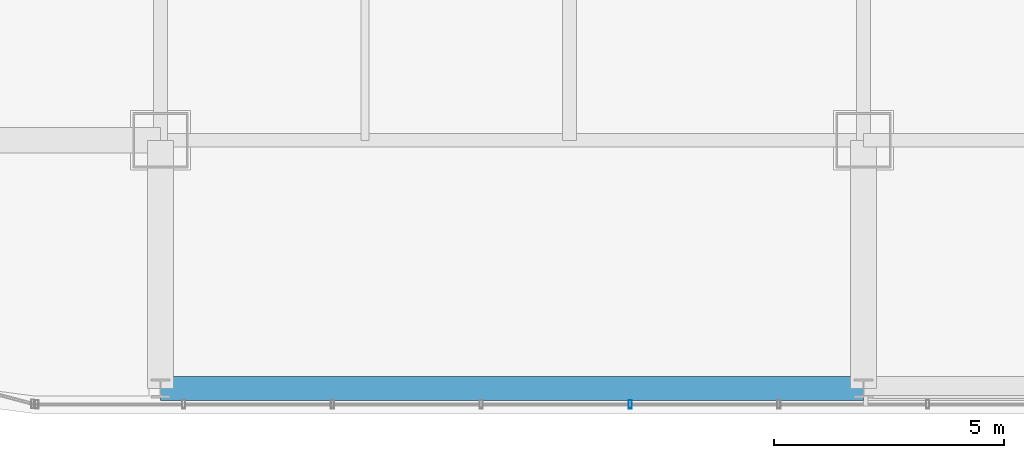
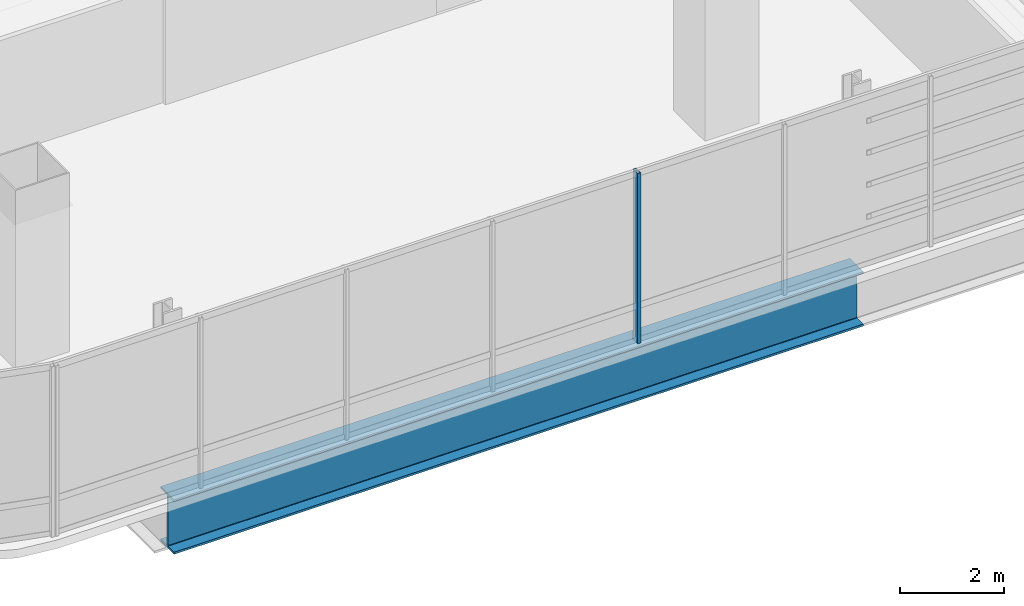
# One storey, part 3 of 43: 1 beam, 1 member, 1 element without a shape of its own.
"""IFC4 building model written with IfcOpenShell, lengths in metres."""

from ifc_helpers import new_model, si_unit, direction, frame, origin, origin_2d, place, context, subcontext, project, spatial, hollow_rectangle, i_section, extrude, material, material_profile, profile_set, type_object, element, aggregate, save


model = new_model("IFC4")

# Units and contexts
model_context = context("Model", 3, precision=1e-05, world=origin(), true_north=direction((0.0, 1.0)))
body_context = subcontext(model_context, "Body", "Model", "MODEL_VIEW")
ifc_project = project(units=[si_unit("LENGTHUNIT", "METRE"), si_unit("AREAUNIT", "SQUARE_METRE"), si_unit("VOLUMEUNIT", "CUBIC_METRE"), si_unit("PLANEANGLEUNIT", "RADIAN"), si_unit("MASSUNIT", "GRAM", prefix="KILO")], contexts=[model_context])

# Site, building, storey
site_placement = place(None, origin())
site = spatial("IfcSite", under=ifc_project, at=site_placement, CompositionType="ELEMENT")
building_placement = place(site_placement, origin())
building = spatial("IfcBuilding", under=site, at=building_placement, Name="Punatoya Terracotta Tower", CompositionType="ELEMENT")
storey_placement = place(building_placement, frame((0.0, 0.0, 321.60009765625)))
storey = spatial("IfcBuildingStorey", under=building, at=storey_placement, Name="L76", CompositionType="ELEMENT", Elevation=321.60009765625)

# Beam
ifc_material_1 = material(Name="Steel S460", Category="steel")
ifc_material_profile_1 = material_profile(ifc_material_1, i_section(OverallWidth=0.52001953125, OverallDepth=1.280029296875, WebThickness=0.031982421875, FlangeThickness=0.050048828125, FilletRadius=0.01806640625, at=origin_2d()))
ifc_profile_set_1 = profile_set([ifc_material_profile_1], Name="Steel S460")
beam_type = type_object("IfcBeamType", Name="BM-TG-NCK", PredefinedType="BEAM", material=ifc_profile_set_1)
beam_placement = place(storey_placement, frame((-19.10009765625, -22.89990234375, -0.840087890625), z_axis=(1.0, 0.0, 0.0), x_axis=(0.0, 1.0, 0.0)))
element("IfcBeam", 1, at=beam_placement, inside=storey, type_object=beam_type, Name="BM-L76-PER-S1", PredefinedType="BEAM", context=body_context, shape_type="SweptSolid", body=[
    extrude(i_section(OverallWidth=0.52001953125, OverallDepth=1.280029296875, WebThickness=0.031982421875, FlangeThickness=0.050048828125, FilletRadius=0.01806640625, at=origin_2d()), origin(), (0.0, 0.0, 1.0), 15.300048828125),
])

# Curtain wall, member
ifc_material_2 = material(Name="Aluminium 6063-T6 + Double Low-E Glass", Category="aluminium")
curtain_wall_type = type_object("IfcCurtainWallType", Name="CW-OBS", PredefinedType="NOTDEFINED", material=ifc_material_2)
curtain_wall_placement = place(storey_placement, origin())
curtain_wall = element("IfcCurtainWall", 2, at=curtain_wall_placement, inside=storey, type_object=curtain_wall_type, Name="L76 Curtain Wall CW-L76-S01-1", PredefinedType="NOTDEFINED")
ifc_material_3 = material(Name="Aluminium 6063-T6", Category="aluminium")
ifc_material_profile_2 = material_profile(ifc_material_3, hollow_rectangle(XDim=0.070068359375, YDim=0.179931640625, WallThickness=0.00390625, at=origin_2d()))
ifc_profile_set_2 = profile_set([ifc_material_profile_2], Name="Aluminium 6063-T6")
member_type = type_object("IfcMemberType", Name="CW-MUL-M3", PredefinedType="MULLION", material=ifc_profile_set_2)
member_placement = place(storey_placement, frame((-8.87890625, -23.25, 0.0), z_axis=(0.0, 0.0, 1.0), x_axis=(1.0, 0.0, 0.0)))
member = element("IfcMember", 3, at=member_placement, type_object=member_type, Name="CW-L76-S01-1 Mullion 04", PredefinedType="MULLION", context=body_context, shape_type="SweptSolid", body=[
    extrude(hollow_rectangle(XDim=0.070068359375, YDim=0.179931640625, WallThickness=0.00390625, at=origin_2d()), origin(), (0.0, 0.0, 1.0), 4.0),
])
aggregate(curtain_wall, [member])

save(model, "model.ifc")
